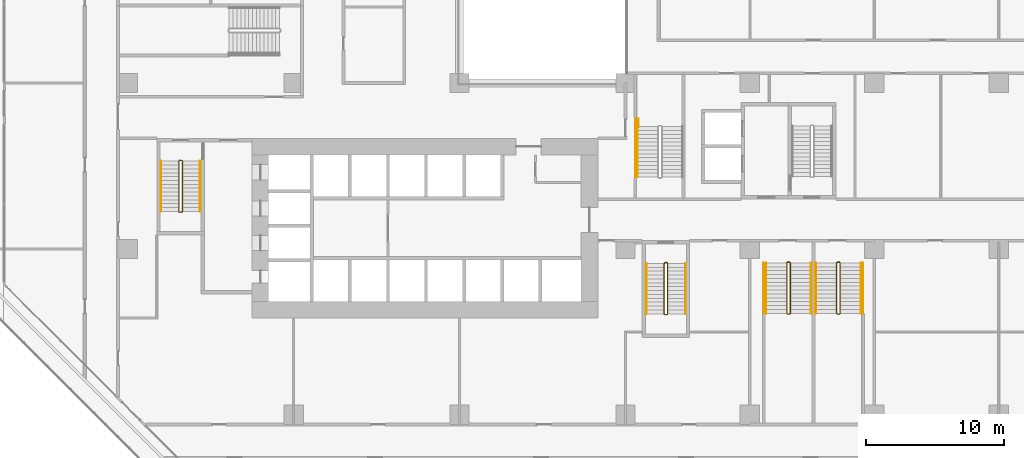
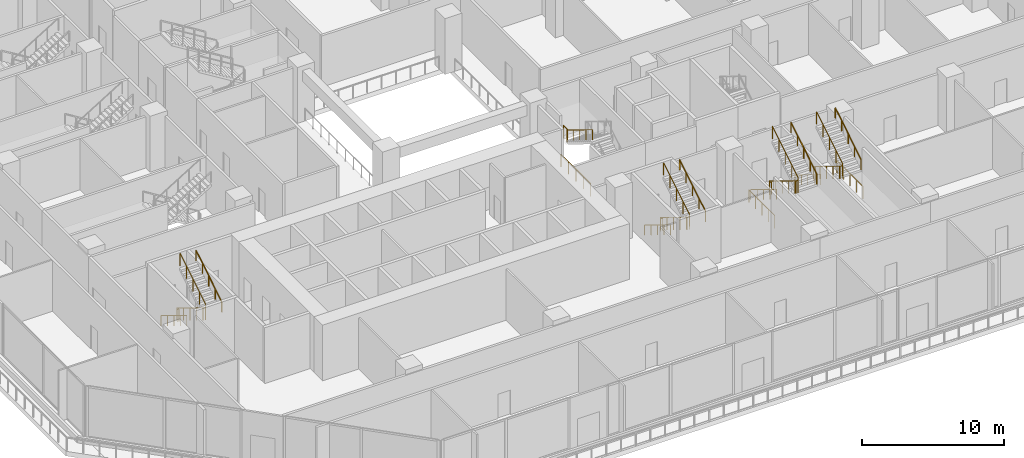
# One storey, part 22 of 26: 17 railings.
"""IFC4 building model written with IfcOpenShell, lengths in metres."""

from ifc_helpers import new_model, si_unit, direction, frame, origin, origin_2d, place, context, subcontext, project, spatial, rectangle, extrude, material, type_object, element, save


model = new_model("IFC4")

# Units and contexts
model_context = context("Model", 3, precision=1e-05, world=origin(), true_north=direction((0.0, 1.0)))
body_context = subcontext(model_context, "Body", "Model", "MODEL_VIEW")
ifc_project = project(units=[si_unit("LENGTHUNIT", "METRE"), si_unit("AREAUNIT", "SQUARE_METRE"), si_unit("VOLUMEUNIT", "CUBIC_METRE"), si_unit("PLANEANGLEUNIT", "RADIAN"), si_unit("MASSUNIT", "GRAM", prefix="KILO")], contexts=[model_context])

# Site, building, storey
site_placement = place(None, origin())
site = spatial("IfcSite", under=ifc_project, at=site_placement, CompositionType="ELEMENT")
building_placement = place(site_placement, origin())
building = spatial("IfcBuilding", under=site, at=building_placement, Name="Chenar Terraces", CompositionType="ELEMENT")
storey_placement = place(building_placement, frame((0.0, 0.0, 16.800048828125)))
storey = spatial("IfcBuildingStorey", under=building, at=storey_placement, Name="L03", CompositionType="ELEMENT", Elevation=16.800048828125)

# Railings
ifc_material_1 = material(Name="Powder-coated steel", Category="steel")
railing_type_1 = type_object("IfcRailingType", Name="Stair guard 1100", PredefinedType="GUARDRAIL", material=ifc_material_1)
railing_1_placement = place(storey_placement, frame((3.949951171875, 18.35009765625, 4.800048828125)))
element("IfcRailing", 1, at=railing_1_placement, inside=storey, type_object=railing_type_1, Name="L03 ST1 stair guard 1", PredefinedType="GUARDRAIL", context=body_context, shape_type="SweptSolid", body=[
    extrude(rectangle(XDim=0.048095703125, YDim=0.048095703125, at=origin_2d()), frame((0.0, 0.0, 1.076171875), z_axis=(0.0, -0.852840387347, -0.522171689878), x_axis=(1.0, 0.0, 0.0)), (0.0, 0.0, 1.0), 4.268310546875),
    extrude(rectangle(XDim=0.048095703125, YDim=0.048095703125, at=origin_2d()), frame((0.0, -3.64013671875, -1.15283203125), z_axis=(-0.269911200495, -0.269911200495, -0.924281281696), x_axis=(0.707106781187, -0.707106781187, 0.0)), (0.0, 0.0, 1.0), 0.185546875),
    extrude(rectangle(XDim=0.048095703125, YDim=0.048095703125, at=origin_2d()), frame((-0.050048828125, -3.690185546875, -1.32421875), z_axis=(-1.0, 0.0, 0.0), x_axis=(0.0, -1.0, 0.0)), (0.0, 0.0, 1.0), 0.14990234375),
    extrude(rectangle(XDim=0.048095703125, YDim=0.048095703125, at=origin_2d()), frame((-0.199951171875, -3.690185546875, -1.32421875), z_axis=(-0.707106781187, 0.707106781187, 0.0), x_axis=(-0.707106781187, -0.707106781187, 0.0)), (0.0, 0.0, 1.0), 0.07080078125),
    extrude(rectangle(XDim=0.048095703125, YDim=0.048095703125, at=origin_2d()), frame((-0.25, -3.64013671875, -1.32421875), z_axis=(0.0, 0.852865859571, -0.52213008492), x_axis=(-1.0, 0.0, 0.0)), (0.0, 0.0, 1.0), 4.26806640625),
    extrude(rectangle(XDim=0.048095703125, YDim=0.048095703125, at=origin_2d()), frame((-0.25, 0.0, -3.552734375), z_axis=(0.270006937388, 0.268689830376, -0.924609122178), x_axis=(-0.705375805398, 0.708833529934, 0.0)), (0.0, 0.0, 1.0), 0.185302734375),
    extrude(rectangle(XDim=0.048095703125, YDim=0.048095703125, at=origin_2d()), frame((-0.199951171875, 0.0498046875, -3.72412109375), z_axis=(1.0, 0.0, 0.0), x_axis=(0.0, 1.0, 0.0)), (0.0, 0.0, 1.0), 0.14990234375),
    extrude(rectangle(XDim=0.0419921875, YDim=0.0419921875, at=origin_2d()), origin(), (0.0, 0.0, 1.0), 1.052001953125),
    extrude(rectangle(XDim=0.0419921875, YDim=0.0419921875, at=origin_2d()), frame((0.0, -0.91015625, -0.55712890625)), (0.0, 0.0, 1.0), 1.052001953125),
    extrude(rectangle(XDim=0.0419921875, YDim=0.0419921875, at=origin_2d()), frame((0.0, -1.820068359375, -1.1142578125)), (0.0, 0.0, 1.0), 1.052001953125),
    extrude(rectangle(XDim=0.0419921875, YDim=0.0419921875, at=origin_2d()), frame((0.0, -2.72998046875, -1.671630859375)), (0.0, 0.0, 1.0), 1.052001953125),
    extrude(rectangle(XDim=0.0419921875, YDim=0.0419921875, at=origin_2d()), frame((0.0, -3.64013671875, -2.228759765625)), (0.0, 0.0, 1.0), 1.052001953125),
    extrude(rectangle(XDim=0.0419921875, YDim=0.0419921875, at=origin_2d()), frame((-0.050048828125, -3.690185546875, -2.400146484375)), (0.0, 0.0, 1.0), 1.052001953125),
    extrude(rectangle(XDim=0.0419921875, YDim=0.0419921875, at=origin_2d()), frame((-0.199951171875, -3.690185546875, -2.400146484375)), (0.0, 0.0, 1.0), 1.052001953125),
    extrude(rectangle(XDim=0.0419921875, YDim=0.0419921875, at=origin_2d()), frame((-0.25, -3.64013671875, -2.400146484375)), (0.0, 0.0, 1.0), 1.052001953125),
    extrude(rectangle(XDim=0.0419921875, YDim=0.0419921875, at=origin_2d()), frame((-0.25, -2.72998046875, -2.957275390625)), (0.0, 0.0, 1.0), 1.052001953125),
    extrude(rectangle(XDim=0.0419921875, YDim=0.0419921875, at=origin_2d()), frame((-0.25, -1.820068359375, -3.514404296875)), (0.0, 0.0, 1.0), 1.052001953125),
    extrude(rectangle(XDim=0.0419921875, YDim=0.0419921875, at=origin_2d()), frame((-0.25, -0.91015625, -4.071533203125)), (0.0, 0.0, 1.0), 1.052001953125),
    extrude(rectangle(XDim=0.0419921875, YDim=0.0419921875, at=origin_2d()), frame((-0.25, 0.0, -4.628662109375)), (0.0, 0.0, 1.0), 1.052001953125),
    extrude(rectangle(XDim=0.0419921875, YDim=0.0419921875, at=origin_2d()), frame((-0.199951171875, 0.0498046875, -4.800048828125)), (0.0, 0.0, 1.0), 1.052001953125),
    extrude(rectangle(XDim=0.0419921875, YDim=0.0419921875, at=origin_2d()), frame((-0.050048828125, 0.0498046875, -4.800048828125)), (0.0, 0.0, 1.0), 1.052001953125),
])
railing_2_placement = place(storey_placement, frame((39.050048828125, 10.949951171875, 4.800048828125)))
element("IfcRailing", 2, at=railing_2_placement, inside=storey, type_object=railing_type_1, Name="L03 ST2 stair guard 1", PredefinedType="GUARDRAIL", context=body_context, shape_type="SweptSolid", body=[
    extrude(rectangle(XDim=0.048095703125, YDim=0.048095703125, at=origin_2d()), frame((0.0, 0.0, 1.076171875), z_axis=(0.0, -0.852824790078, -0.522197163366), x_axis=(1.0, 0.0, 0.0)), (0.0, 0.0, 1.0), 4.26806640625),
    extrude(rectangle(XDim=0.048095703125, YDim=0.048095703125, at=origin_2d()), frame((0.0, -3.639892578125, -1.15283203125), z_axis=(-0.269911200495, -0.269911200495, -0.924281281696), x_axis=(0.707106781187, -0.707106781187, 0.0)), (0.0, 0.0, 1.0), 0.185546875),
    extrude(rectangle(XDim=0.048095703125, YDim=0.048095703125, at=origin_2d()), frame((-0.050048828125, -3.68994140625, -1.32421875), z_axis=(-1.0, 0.0, 0.0), x_axis=(0.0, -1.0, 0.0)), (0.0, 0.0, 1.0), 0.14990234375),
    extrude(rectangle(XDim=0.048095703125, YDim=0.048095703125, at=origin_2d()), frame((-0.199951171875, -3.68994140625, -1.32421875), z_axis=(-0.707106781187, 0.707106781187, 0.0), x_axis=(-0.707106781187, -0.707106781187, 0.0)), (0.0, 0.0, 1.0), 0.07080078125),
    extrude(rectangle(XDim=0.048095703125, YDim=0.048095703125, at=origin_2d()), frame((-0.25, -3.639892578125, -1.32421875), z_axis=(0.0, 0.852850264322, -0.5221555579), x_axis=(-1.0, 0.0, 0.0)), (0.0, 0.0, 1.0), 4.267822265625),
    extrude(rectangle(XDim=0.048095703125, YDim=0.048095703125, at=origin_2d()), frame((-0.25, 0.0, -3.552734375), z_axis=(0.269911200495, 0.269911200495, -0.924281281696), x_axis=(-0.707106781187, 0.707106781187, 0.0)), (0.0, 0.0, 1.0), 0.185546875),
    extrude(rectangle(XDim=0.048095703125, YDim=0.048095703125, at=origin_2d()), frame((-0.199951171875, 0.050048828125, -3.72412109375), z_axis=(1.0, 0.0, 0.0), x_axis=(0.0, 1.0, 0.0)), (0.0, 0.0, 1.0), 0.14990234375),
    extrude(rectangle(XDim=0.0419921875, YDim=0.0419921875, at=origin_2d()), origin(), (0.0, 0.0, 1.0), 1.052001953125),
    extrude(rectangle(XDim=0.0419921875, YDim=0.0419921875, at=origin_2d()), frame((0.0, -0.909912109375, -0.55712890625)), (0.0, 0.0, 1.0), 1.052001953125),
    extrude(rectangle(XDim=0.0419921875, YDim=0.0419921875, at=origin_2d()), frame((0.0, -1.81982421875, -1.1142578125)), (0.0, 0.0, 1.0), 1.052001953125),
    extrude(rectangle(XDim=0.0419921875, YDim=0.0419921875, at=origin_2d()), frame((0.0, -2.72998046875, -1.671630859375)), (0.0, 0.0, 1.0), 1.052001953125),
    extrude(rectangle(XDim=0.0419921875, YDim=0.0419921875, at=origin_2d()), frame((0.0, -3.639892578125, -2.228759765625)), (0.0, 0.0, 1.0), 1.052001953125),
    extrude(rectangle(XDim=0.0419921875, YDim=0.0419921875, at=origin_2d()), frame((-0.050048828125, -3.68994140625, -2.400146484375)), (0.0, 0.0, 1.0), 1.052001953125),
    extrude(rectangle(XDim=0.0419921875, YDim=0.0419921875, at=origin_2d()), frame((-0.199951171875, -3.68994140625, -2.400146484375)), (0.0, 0.0, 1.0), 1.052001953125),
    extrude(rectangle(XDim=0.0419921875, YDim=0.0419921875, at=origin_2d()), frame((-0.25, -3.639892578125, -2.400146484375)), (0.0, 0.0, 1.0), 1.052001953125),
    extrude(rectangle(XDim=0.0419921875, YDim=0.0419921875, at=origin_2d()), frame((-0.25, -2.72998046875, -2.957275390625)), (0.0, 0.0, 1.0), 1.052001953125),
    extrude(rectangle(XDim=0.0419921875, YDim=0.0419921875, at=origin_2d()), frame((-0.25, -1.81982421875, -3.514404296875)), (0.0, 0.0, 1.0), 1.052001953125),
    extrude(rectangle(XDim=0.0419921875, YDim=0.0419921875, at=origin_2d()), frame((-0.25, -0.909912109375, -4.071533203125)), (0.0, 0.0, 1.0), 1.052001953125),
    extrude(rectangle(XDim=0.0419921875, YDim=0.0419921875, at=origin_2d()), frame((-0.25, 0.0, -4.628662109375)), (0.0, 0.0, 1.0), 1.052001953125),
    extrude(rectangle(XDim=0.0419921875, YDim=0.0419921875, at=origin_2d()), frame((-0.199951171875, 0.050048828125, -4.800048828125)), (0.0, 0.0, 1.0), 1.052001953125),
    extrude(rectangle(XDim=0.0419921875, YDim=0.0419921875, at=origin_2d()), frame((-0.050048828125, 0.050048828125, -4.800048828125)), (0.0, 0.0, 1.0), 1.052001953125),
])
railing_3_placement = place(storey_placement, frame((51.52490234375, 10.985107421875, 4.800048828125)))
element("IfcRailing", 3, at=railing_3_placement, inside=storey, type_object=railing_type_1, Name="L03 PS2 stair guard 1", PredefinedType="GUARDRAIL", context=body_context, shape_type="SweptSolid", body=[
    extrude(rectangle(XDim=0.048095703125, YDim=0.048095703125, at=origin_2d()), frame((0.0, 0.0, 1.076171875), z_axis=(0.0, -0.852840387347, -0.522171689878), x_axis=(1.0, 0.0, 0.0)), (0.0, 0.0, 1.0), 4.268310546875),
    extrude(rectangle(XDim=0.048095703125, YDim=0.048095703125, at=origin_2d()), frame((0.0, -3.64013671875, -1.15283203125), z_axis=(-0.268689830376, -0.270006937388, -0.924609122178), x_axis=(0.708833529934, -0.705375805398, 0.0)), (0.0, 0.0, 1.0), 0.185302734375),
    extrude(rectangle(XDim=0.048095703125, YDim=0.048095703125, at=origin_2d()), frame((-0.0498046875, -3.690185546875, -1.32421875), z_axis=(-1.0, 0.0, 0.0), x_axis=(0.0, -1.0, 0.0)), (0.0, 0.0, 1.0), 0.150146484375),
    extrude(rectangle(XDim=0.048095703125, YDim=0.048095703125, at=origin_2d()), frame((-0.199951171875, -3.690185546875, -1.32421875), z_axis=(-0.707106781187, 0.707106781187, 0.0), x_axis=(-0.707106781187, -0.707106781187, 0.0)), (0.0, 0.0, 1.0), 0.07080078125),
    extrude(rectangle(XDim=0.048095703125, YDim=0.048095703125, at=origin_2d()), frame((-0.25, -3.64013671875, -1.32421875), z_axis=(0.0, 0.852865859571, -0.52213008492), x_axis=(-1.0, 0.0, 0.0)), (0.0, 0.0, 1.0), 4.26806640625),
    extrude(rectangle(XDim=0.048095703125, YDim=0.048095703125, at=origin_2d()), frame((-0.25, 0.0, -3.552734375), z_axis=(0.270006937388, 0.268689830376, -0.924609122178), x_axis=(-0.705375805398, 0.708833529934, 0.0)), (0.0, 0.0, 1.0), 0.185302734375),
    extrude(rectangle(XDim=0.048095703125, YDim=0.048095703125, at=origin_2d()), frame((-0.199951171875, 0.0498046875, -3.72412109375), z_axis=(1.0, 0.0, 0.0), x_axis=(0.0, 1.0, 0.0)), (0.0, 0.0, 1.0), 0.150146484375),
    extrude(rectangle(XDim=0.0419921875, YDim=0.0419921875, at=origin_2d()), origin(), (0.0, 0.0, 1.0), 1.052001953125),
    extrude(rectangle(XDim=0.0419921875, YDim=0.0419921875, at=origin_2d()), frame((0.0, -0.91015625, -0.55712890625)), (0.0, 0.0, 1.0), 1.052001953125),
    extrude(rectangle(XDim=0.0419921875, YDim=0.0419921875, at=origin_2d()), frame((0.0, -1.820068359375, -1.1142578125)), (0.0, 0.0, 1.0), 1.052001953125),
    extrude(rectangle(XDim=0.0419921875, YDim=0.0419921875, at=origin_2d()), frame((0.0, -2.72998046875, -1.671630859375)), (0.0, 0.0, 1.0), 1.052001953125),
    extrude(rectangle(XDim=0.0419921875, YDim=0.0419921875, at=origin_2d()), frame((0.0, -3.64013671875, -2.228759765625)), (0.0, 0.0, 1.0), 1.052001953125),
    extrude(rectangle(XDim=0.0419921875, YDim=0.0419921875, at=origin_2d()), frame((-0.0498046875, -3.690185546875, -2.400146484375)), (0.0, 0.0, 1.0), 1.052001953125),
    extrude(rectangle(XDim=0.0419921875, YDim=0.0419921875, at=origin_2d()), frame((-0.199951171875, -3.690185546875, -2.400146484375)), (0.0, 0.0, 1.0), 1.052001953125),
    extrude(rectangle(XDim=0.0419921875, YDim=0.0419921875, at=origin_2d()), frame((-0.25, -3.64013671875, -2.400146484375)), (0.0, 0.0, 1.0), 1.052001953125),
    extrude(rectangle(XDim=0.0419921875, YDim=0.0419921875, at=origin_2d()), frame((-0.25, -2.72998046875, -2.957275390625)), (0.0, 0.0, 1.0), 1.052001953125),
    extrude(rectangle(XDim=0.0419921875, YDim=0.0419921875, at=origin_2d()), frame((-0.25, -1.820068359375, -3.514404296875)), (0.0, 0.0, 1.0), 1.052001953125),
    extrude(rectangle(XDim=0.0419921875, YDim=0.0419921875, at=origin_2d()), frame((-0.25, -0.91015625, -4.071533203125)), (0.0, 0.0, 1.0), 1.052001953125),
    extrude(rectangle(XDim=0.0419921875, YDim=0.0419921875, at=origin_2d()), frame((-0.25, 0.0, -4.628662109375)), (0.0, 0.0, 1.0), 1.052001953125),
    extrude(rectangle(XDim=0.0419921875, YDim=0.0419921875, at=origin_2d()), frame((-0.199951171875, 0.0498046875, -4.800048828125)), (0.0, 0.0, 1.0), 1.052001953125),
    extrude(rectangle(XDim=0.0419921875, YDim=0.0419921875, at=origin_2d()), frame((-0.0498046875, 0.0498046875, -4.800048828125)), (0.0, 0.0, 1.0), 1.052001953125),
])
railing_4_placement = place(storey_placement, frame((47.925048828125, 10.985107421875, 4.800048828125)))
element("IfcRailing", 4, at=railing_4_placement, inside=storey, type_object=railing_type_1, Name="L03 PS6 stair guard 1", PredefinedType="GUARDRAIL", context=body_context, shape_type="SweptSolid", body=[
    extrude(rectangle(XDim=0.048095703125, YDim=0.048095703125, at=origin_2d()), frame((0.0, 0.0, 1.076171875), z_axis=(0.0, -0.852840387347, -0.522171689878), x_axis=(1.0, 0.0, 0.0)), (0.0, 0.0, 1.0), 4.268310546875),
    extrude(rectangle(XDim=0.048095703125, YDim=0.048095703125, at=origin_2d()), frame((0.0, -3.64013671875, -1.15283203125), z_axis=(-0.269911200495, -0.269911200495, -0.924281281696), x_axis=(0.707106781187, -0.707106781187, 0.0)), (0.0, 0.0, 1.0), 0.185546875),
    extrude(rectangle(XDim=0.048095703125, YDim=0.048095703125, at=origin_2d()), frame((-0.050048828125, -3.690185546875, -1.32421875), z_axis=(-1.0, 0.0, 0.0), x_axis=(0.0, -1.0, 0.0)), (0.0, 0.0, 1.0), 0.14990234375),
    extrude(rectangle(XDim=0.048095703125, YDim=0.048095703125, at=origin_2d()), frame((-0.199951171875, -3.690185546875, -1.32421875), z_axis=(-0.707106781187, 0.707106781187, 0.0), x_axis=(-0.707106781187, -0.707106781187, 0.0)), (0.0, 0.0, 1.0), 0.07080078125),
    extrude(rectangle(XDim=0.048095703125, YDim=0.048095703125, at=origin_2d()), frame((-0.25, -3.64013671875, -1.32421875), z_axis=(0.0, 0.852865859571, -0.52213008492), x_axis=(-1.0, 0.0, 0.0)), (0.0, 0.0, 1.0), 4.26806640625),
    extrude(rectangle(XDim=0.048095703125, YDim=0.048095703125, at=origin_2d()), frame((-0.25, 0.0, -3.552734375), z_axis=(0.270006937388, 0.268689830376, -0.924609122178), x_axis=(-0.705375805398, 0.708833529934, 0.0)), (0.0, 0.0, 1.0), 0.185302734375),
    extrude(rectangle(XDim=0.048095703125, YDim=0.048095703125, at=origin_2d()), frame((-0.199951171875, 0.0498046875, -3.72412109375), z_axis=(1.0, 0.0, 0.0), x_axis=(0.0, 1.0, 0.0)), (0.0, 0.0, 1.0), 0.14990234375),
    extrude(rectangle(XDim=0.0419921875, YDim=0.0419921875, at=origin_2d()), origin(), (0.0, 0.0, 1.0), 1.052001953125),
    extrude(rectangle(XDim=0.0419921875, YDim=0.0419921875, at=origin_2d()), frame((0.0, -0.91015625, -0.55712890625)), (0.0, 0.0, 1.0), 1.052001953125),
    extrude(rectangle(XDim=0.0419921875, YDim=0.0419921875, at=origin_2d()), frame((0.0, -1.820068359375, -1.1142578125)), (0.0, 0.0, 1.0), 1.052001953125),
    extrude(rectangle(XDim=0.0419921875, YDim=0.0419921875, at=origin_2d()), frame((0.0, -2.72998046875, -1.671630859375)), (0.0, 0.0, 1.0), 1.052001953125),
    extrude(rectangle(XDim=0.0419921875, YDim=0.0419921875, at=origin_2d()), frame((0.0, -3.64013671875, -2.228759765625)), (0.0, 0.0, 1.0), 1.052001953125),
    extrude(rectangle(XDim=0.0419921875, YDim=0.0419921875, at=origin_2d()), frame((-0.050048828125, -3.690185546875, -2.400146484375)), (0.0, 0.0, 1.0), 1.052001953125),
    extrude(rectangle(XDim=0.0419921875, YDim=0.0419921875, at=origin_2d()), frame((-0.199951171875, -3.690185546875, -2.400146484375)), (0.0, 0.0, 1.0), 1.052001953125),
    extrude(rectangle(XDim=0.0419921875, YDim=0.0419921875, at=origin_2d()), frame((-0.25, -3.64013671875, -2.400146484375)), (0.0, 0.0, 1.0), 1.052001953125),
    extrude(rectangle(XDim=0.0419921875, YDim=0.0419921875, at=origin_2d()), frame((-0.25, -2.72998046875, -2.957275390625)), (0.0, 0.0, 1.0), 1.052001953125),
    extrude(rectangle(XDim=0.0419921875, YDim=0.0419921875, at=origin_2d()), frame((-0.25, -1.820068359375, -3.514404296875)), (0.0, 0.0, 1.0), 1.052001953125),
    extrude(rectangle(XDim=0.0419921875, YDim=0.0419921875, at=origin_2d()), frame((-0.25, -0.91015625, -4.071533203125)), (0.0, 0.0, 1.0), 1.052001953125),
    extrude(rectangle(XDim=0.0419921875, YDim=0.0419921875, at=origin_2d()), frame((-0.25, 0.0, -4.628662109375)), (0.0, 0.0, 1.0), 1.052001953125),
    extrude(rectangle(XDim=0.0419921875, YDim=0.0419921875, at=origin_2d()), frame((-0.199951171875, 0.0498046875, -4.800048828125)), (0.0, 0.0, 1.0), 1.052001953125),
    extrude(rectangle(XDim=0.0419921875, YDim=0.0419921875, at=origin_2d()), frame((-0.050048828125, 0.0498046875, -4.800048828125)), (0.0, 0.0, 1.0), 1.052001953125),
])
railing_5_placement = place(storey_placement, frame((36.72509765625, 21.39990234375, 0.0)))
element("IfcRailing", 5, at=railing_5_placement, inside=storey, type_object=railing_type_1, Name="L03 PS1 stair guard 101", PredefinedType="GUARDRAIL", context=body_context, shape_type="SweptSolid", body=[
    extrude(rectangle(XDim=0.048095703125, YDim=0.048095703125, at=origin_2d()), frame((0.0, 0.0, 1.076171875), z_axis=(0.0, -1.0, 0.0), x_axis=(1.0, 0.0, 0.0)), (0.0, 0.0, 1.0), 4.199951171875),
    extrude(rectangle(XDim=0.0419921875, YDim=0.0419921875, at=origin_2d()), origin(), (0.0, 0.0, 1.0), 1.052001953125),
    extrude(rectangle(XDim=0.0419921875, YDim=0.0419921875, at=origin_2d()), frame((0.0, -1.050048828125, 0.0)), (0.0, 0.0, 1.0), 1.052001953125),
    extrude(rectangle(XDim=0.0419921875, YDim=0.0419921875, at=origin_2d()), frame((0.0, -2.10009765625, 0.0)), (0.0, 0.0, 1.0), 1.052001953125),
    extrude(rectangle(XDim=0.0419921875, YDim=0.0419921875, at=origin_2d()), frame((0.0, -3.14990234375, 0.0)), (0.0, 0.0, 1.0), 1.052001953125),
    extrude(rectangle(XDim=0.0419921875, YDim=0.0419921875, at=origin_2d()), frame((0.0, -4.199951171875, 0.0)), (0.0, 0.0, 1.0), 1.052001953125),
])
railing_6_placement = place(storey_placement, frame((53.18994140625, 7.32421875, 0.0)))
element("IfcRailing", 6, at=railing_6_placement, inside=storey, type_object=railing_type_1, Name="L03 PS2 stair guard 101", PredefinedType="GUARDRAIL", context=body_context, shape_type="SweptSolid", body=[
    extrude(rectangle(XDim=0.048095703125, YDim=0.048095703125, at=origin_2d()), frame((0.0, 0.0, 1.076171875), z_axis=(0.0, 1.0, 0.0), x_axis=(-1.0, 0.0, 0.0)), (0.0, 0.0, 1.0), 3.660888671875),
    extrude(rectangle(XDim=0.0419921875, YDim=0.0419921875, at=origin_2d()), origin(), (0.0, 0.0, 1.0), 1.052001953125),
    extrude(rectangle(XDim=0.0419921875, YDim=0.0419921875, at=origin_2d()), frame((0.0, 0.915283203125, 0.0)), (0.0, 0.0, 1.0), 1.052001953125),
    extrude(rectangle(XDim=0.0419921875, YDim=0.0419921875, at=origin_2d()), frame((0.0, 1.83056640625, 0.0)), (0.0, 0.0, 1.0), 1.052001953125),
    extrude(rectangle(XDim=0.0419921875, YDim=0.0419921875, at=origin_2d()), frame((0.0, 2.74560546875, 0.0)), (0.0, 0.0, 1.0), 1.052001953125),
    extrude(rectangle(XDim=0.0419921875, YDim=0.0419921875, at=origin_2d()), frame((0.0, 3.660888671875, 0.0)), (0.0, 0.0, 1.0), 1.052001953125),
])
railing_7_placement = place(storey_placement, frame((46.010009765625, 10.985107421875, 0.0)))
element("IfcRailing", 7, at=railing_7_placement, inside=storey, type_object=railing_type_1, Name="L03 PS6 stair guard 101", PredefinedType="GUARDRAIL", context=body_context, shape_type="SweptSolid", body=[
    extrude(rectangle(XDim=0.048095703125, YDim=0.048095703125, at=origin_2d()), frame((0.0, 0.0, 1.076171875), z_axis=(0.0, -1.0, 0.0), x_axis=(1.0, 0.0, 0.0)), (0.0, 0.0, 1.0), 3.660888671875),
    extrude(rectangle(XDim=0.0419921875, YDim=0.0419921875, at=origin_2d()), origin(), (0.0, 0.0, 1.0), 1.052001953125),
    extrude(rectangle(XDim=0.0419921875, YDim=0.0419921875, at=origin_2d()), frame((0.0, -0.915283203125, 0.0)), (0.0, 0.0, 1.0), 1.052001953125),
    extrude(rectangle(XDim=0.0419921875, YDim=0.0419921875, at=origin_2d()), frame((0.0, -1.83056640625, 0.0)), (0.0, 0.0, 1.0), 1.052001953125),
    extrude(rectangle(XDim=0.0419921875, YDim=0.0419921875, at=origin_2d()), frame((0.0, -2.74560546875, 0.0)), (0.0, 0.0, 1.0), 1.052001953125),
    extrude(rectangle(XDim=0.0419921875, YDim=0.0419921875, at=origin_2d()), frame((0.0, -3.660888671875, 0.0)), (0.0, 0.0, 1.0), 1.052001953125),
])
railing_8_placement = place(storey_placement, frame((36.925048828125, 20.840087890625, 2.39990234375)))
element("IfcRailing", 8, at=railing_8_placement, inside=storey, type_object=railing_type_1, Name="L03 PS1 stair guard 201", PredefinedType="GUARDRAIL", context=body_context, shape_type="SweptSolid", body=[
    extrude(rectangle(XDim=0.048095703125, YDim=0.048095703125, at=origin_2d()), frame((0.0, 0.0, 1.076171875), z_axis=(0.0, 1.0, 0.0), x_axis=(-1.0, 0.0, 0.0)), (0.0, 0.0, 1.0), 0.55126953125),
    extrude(rectangle(XDim=0.0419921875, YDim=0.0419921875, at=origin_2d()), origin(), (0.0, 0.0, 1.0), 1.052001953125),
    extrude(rectangle(XDim=0.0419921875, YDim=0.0419921875, at=origin_2d()), frame((0.0, 0.55126953125, 0.0)), (0.0, 0.0, 1.0), 1.052001953125),
])
ifc_material_2 = material(Name="Powder-coated steel", Category="steel")
railing_type_2 = type_object("IfcRailingType", Name="Stair handrail 900", PredefinedType="HANDRAIL", material=ifc_material_2)
railing_9_placement = place(storey_placement, frame((2.39990234375, 18.35009765625, 0.17138671875)))
element("IfcRailing", 9, at=railing_9_placement, inside=storey, type_object=railing_type_2, Name="L03 ST1 stair handrail 1", PredefinedType="HANDRAIL", context=body_context, shape_type="SweptSolid", body=[
    extrude(rectangle(XDim=0.048095703125, YDim=0.048095703125, at=origin_2d()), frame((0.0, 0.0, 0.8759765625), z_axis=(0.0, -0.852865859571, 0.52213008492), x_axis=(1.0, 0.0, 0.0)), (0.0, 0.0, 1.0), 4.26806640625),
    extrude(rectangle(XDim=0.0419921875, YDim=0.0419921875, at=origin_2d()), origin(), (0.0, 0.0, 1.0), 0.851806640625),
    extrude(rectangle(XDim=0.0419921875, YDim=0.0419921875, at=origin_2d()), frame((0.0, -0.91015625, 0.55712890625)), (0.0, 0.0, 1.0), 0.851806640625),
    extrude(rectangle(XDim=0.0419921875, YDim=0.0419921875, at=origin_2d()), frame((0.0, -1.820068359375, 1.1142578125)), (0.0, 0.0, 1.0), 0.851806640625),
    extrude(rectangle(XDim=0.0419921875, YDim=0.0419921875, at=origin_2d()), frame((0.0, -2.72998046875, 1.67138671875)), (0.0, 0.0, 1.0), 0.851806640625),
    extrude(rectangle(XDim=0.0419921875, YDim=0.0419921875, at=origin_2d()), frame((0.0, -3.64013671875, 2.228515625)), (0.0, 0.0, 1.0), 0.851806640625),
])
railing_10_placement = place(storey_placement, frame((5.25, 14.7099609375, 2.5712890625)))
element("IfcRailing", 10, at=railing_10_placement, inside=storey, type_object=railing_type_2, Name="L03 ST1 stair handrail 2", PredefinedType="HANDRAIL", context=body_context, shape_type="SweptSolid", body=[
    extrude(rectangle(XDim=0.048095703125, YDim=0.048095703125, at=origin_2d()), frame((0.0, 0.0, 0.8759765625), z_axis=(0.0, 0.852840387347, 0.522171689878), x_axis=(-1.0, 0.0, 0.0)), (0.0, 0.0, 1.0), 4.268310546875),
    extrude(rectangle(XDim=0.0419921875, YDim=0.0419921875, at=origin_2d()), origin(), (0.0, 0.0, 1.0), 0.851806640625),
    extrude(rectangle(XDim=0.0419921875, YDim=0.0419921875, at=origin_2d()), frame((0.0, 0.91015625, 0.55712890625)), (0.0, 0.0, 1.0), 0.851806640625),
    extrude(rectangle(XDim=0.0419921875, YDim=0.0419921875, at=origin_2d()), frame((0.0, 1.820068359375, 1.1142578125)), (0.0, 0.0, 1.0), 0.851806640625),
    extrude(rectangle(XDim=0.0419921875, YDim=0.0419921875, at=origin_2d()), frame((0.0, 2.72998046875, 1.671630859375)), (0.0, 0.0, 1.0), 0.851806640625),
    extrude(rectangle(XDim=0.0419921875, YDim=0.0419921875, at=origin_2d()), frame((0.0, 3.64013671875, 2.228759765625)), (0.0, 0.0, 1.0), 0.851806640625),
])
railing_11_placement = place(storey_placement, frame((37.5, 10.949951171875, 0.17138671875)))
element("IfcRailing", 11, at=railing_11_placement, inside=storey, type_object=railing_type_2, Name="L03 ST2 stair handrail 1", PredefinedType="HANDRAIL", context=body_context, shape_type="SweptSolid", body=[
    extrude(rectangle(XDim=0.048095703125, YDim=0.048095703125, at=origin_2d()), frame((0.0, 0.0, 0.8759765625), z_axis=(0.0, -0.852850264322, 0.5221555579), x_axis=(1.0, 0.0, 0.0)), (0.0, 0.0, 1.0), 4.267822265625),
    extrude(rectangle(XDim=0.0419921875, YDim=0.0419921875, at=origin_2d()), origin(), (0.0, 0.0, 1.0), 0.851806640625),
    extrude(rectangle(XDim=0.0419921875, YDim=0.0419921875, at=origin_2d()), frame((0.0, -0.909912109375, 0.55712890625)), (0.0, 0.0, 1.0), 0.851806640625),
    extrude(rectangle(XDim=0.0419921875, YDim=0.0419921875, at=origin_2d()), frame((0.0, -1.81982421875, 1.1142578125)), (0.0, 0.0, 1.0), 0.851806640625),
    extrude(rectangle(XDim=0.0419921875, YDim=0.0419921875, at=origin_2d()), frame((0.0, -2.72998046875, 1.67138671875)), (0.0, 0.0, 1.0), 0.851806640625),
    extrude(rectangle(XDim=0.0419921875, YDim=0.0419921875, at=origin_2d()), frame((0.0, -3.639892578125, 2.228515625)), (0.0, 0.0, 1.0), 0.851806640625),
])
railing_12_placement = place(storey_placement, frame((40.35009765625, 7.31005859375, 2.5712890625)))
element("IfcRailing", 12, at=railing_12_placement, inside=storey, type_object=railing_type_2, Name="L03 ST2 stair handrail 2", PredefinedType="HANDRAIL", context=body_context, shape_type="SweptSolid", body=[
    extrude(rectangle(XDim=0.048095703125, YDim=0.048095703125, at=origin_2d()), frame((0.0, 0.0, 0.8759765625), z_axis=(0.0, 0.852824790078, 0.522197163366), x_axis=(-1.0, 0.0, 0.0)), (0.0, 0.0, 1.0), 4.26806640625),
    extrude(rectangle(XDim=0.0419921875, YDim=0.0419921875, at=origin_2d()), origin(), (0.0, 0.0, 1.0), 0.851806640625),
    extrude(rectangle(XDim=0.0419921875, YDim=0.0419921875, at=origin_2d()), frame((0.0, 0.909912109375, 0.55712890625)), (0.0, 0.0, 1.0), 0.851806640625),
    extrude(rectangle(XDim=0.0419921875, YDim=0.0419921875, at=origin_2d()), frame((0.0, 1.81982421875, 1.1142578125)), (0.0, 0.0, 1.0), 0.851806640625),
    extrude(rectangle(XDim=0.0419921875, YDim=0.0419921875, at=origin_2d()), frame((0.0, 2.72998046875, 1.671630859375)), (0.0, 0.0, 1.0), 0.851806640625),
    extrude(rectangle(XDim=0.0419921875, YDim=0.0419921875, at=origin_2d()), frame((0.0, 3.639892578125, 2.228759765625)), (0.0, 0.0, 1.0), 0.851806640625),
])
railing_13_placement = place(storey_placement, frame((36.875, 20.840087890625, 2.5712890625)))
element("IfcRailing", 13, at=railing_13_placement, inside=storey, type_object=railing_type_2, Name="L03 PS1 stair handrail 2", PredefinedType="HANDRAIL", context=body_context, shape_type="SweptSolid", body=[
    extrude(rectangle(XDim=0.048095703125, YDim=0.048095703125, at=origin_2d()), frame((0.0, 0.0, 0.8759765625), z_axis=(0.0, -0.852840387347, 0.522171689878), x_axis=(1.0, 0.0, 0.0)), (0.0, 0.0, 1.0), 4.268310546875),
    extrude(rectangle(XDim=0.0419921875, YDim=0.0419921875, at=origin_2d()), origin(), (0.0, 0.0, 1.0), 0.851806640625),
    extrude(rectangle(XDim=0.0419921875, YDim=0.0419921875, at=origin_2d()), frame((0.0, -0.91015625, 0.55712890625)), (0.0, 0.0, 1.0), 0.851806640625),
    extrude(rectangle(XDim=0.0419921875, YDim=0.0419921875, at=origin_2d()), frame((0.0, -1.820068359375, 1.1142578125)), (0.0, 0.0, 1.0), 0.851806640625),
    extrude(rectangle(XDim=0.0419921875, YDim=0.0419921875, at=origin_2d()), frame((0.0, -2.72998046875, 1.671630859375)), (0.0, 0.0, 1.0), 0.851806640625),
    extrude(rectangle(XDim=0.0419921875, YDim=0.0419921875, at=origin_2d()), frame((0.0, -3.64013671875, 2.228759765625)), (0.0, 0.0, 1.0), 0.851806640625),
])
railing_14_placement = place(storey_placement, frame((49.760009765625, 10.985107421875, 0.17138671875)))
element("IfcRailing", 14, at=railing_14_placement, inside=storey, type_object=railing_type_2, Name="L03 PS2 stair handrail 1", PredefinedType="HANDRAIL", context=body_context, shape_type="SweptSolid", body=[
    extrude(rectangle(XDim=0.048095703125, YDim=0.048095703125, at=origin_2d()), frame((0.0, 0.0, 0.8759765625), z_axis=(0.0, -0.852865859571, 0.52213008492), x_axis=(1.0, 0.0, 0.0)), (0.0, 0.0, 1.0), 4.26806640625),
    extrude(rectangle(XDim=0.0419921875, YDim=0.0419921875, at=origin_2d()), origin(), (0.0, 0.0, 1.0), 0.851806640625),
    extrude(rectangle(XDim=0.0419921875, YDim=0.0419921875, at=origin_2d()), frame((0.0, -0.91015625, 0.55712890625)), (0.0, 0.0, 1.0), 0.851806640625),
    extrude(rectangle(XDim=0.0419921875, YDim=0.0419921875, at=origin_2d()), frame((0.0, -1.820068359375, 1.1142578125)), (0.0, 0.0, 1.0), 0.851806640625),
    extrude(rectangle(XDim=0.0419921875, YDim=0.0419921875, at=origin_2d()), frame((0.0, -2.72998046875, 1.67138671875)), (0.0, 0.0, 1.0), 0.851806640625),
    extrude(rectangle(XDim=0.0419921875, YDim=0.0419921875, at=origin_2d()), frame((0.0, -3.64013671875, 2.228515625)), (0.0, 0.0, 1.0), 0.851806640625),
])
railing_15_placement = place(storey_placement, frame((53.0400390625, 7.344970703125, 2.5712890625)))
element("IfcRailing", 15, at=railing_15_placement, inside=storey, type_object=railing_type_2, Name="L03 PS2 stair handrail 2", PredefinedType="HANDRAIL", context=body_context, shape_type="SweptSolid", body=[
    extrude(rectangle(XDim=0.048095703125, YDim=0.048095703125, at=origin_2d()), frame((0.0, 0.0, 0.8759765625), z_axis=(0.0, 0.852840387347, 0.522171689878), x_axis=(-1.0, 0.0, 0.0)), (0.0, 0.0, 1.0), 4.268310546875),
    extrude(rectangle(XDim=0.0419921875, YDim=0.0419921875, at=origin_2d()), origin(), (0.0, 0.0, 1.0), 0.851806640625),
    extrude(rectangle(XDim=0.0419921875, YDim=0.0419921875, at=origin_2d()), frame((0.0, 0.91015625, 0.55712890625)), (0.0, 0.0, 1.0), 0.851806640625),
    extrude(rectangle(XDim=0.0419921875, YDim=0.0419921875, at=origin_2d()), frame((0.0, 1.820068359375, 1.1142578125)), (0.0, 0.0, 1.0), 0.851806640625),
    extrude(rectangle(XDim=0.0419921875, YDim=0.0419921875, at=origin_2d()), frame((0.0, 2.72998046875, 1.671630859375)), (0.0, 0.0, 1.0), 0.851806640625),
    extrude(rectangle(XDim=0.0419921875, YDim=0.0419921875, at=origin_2d()), frame((0.0, 3.64013671875, 2.228759765625)), (0.0, 0.0, 1.0), 0.851806640625),
])
railing_16_placement = place(storey_placement, frame((46.159912109375, 10.985107421875, 0.17138671875)))
element("IfcRailing", 16, at=railing_16_placement, inside=storey, type_object=railing_type_2, Name="L03 PS6 stair handrail 1", PredefinedType="HANDRAIL", context=body_context, shape_type="SweptSolid", body=[
    extrude(rectangle(XDim=0.048095703125, YDim=0.048095703125, at=origin_2d()), frame((0.0, 0.0, 0.8759765625), z_axis=(0.0, -0.852865859571, 0.52213008492), x_axis=(1.0, 0.0, 0.0)), (0.0, 0.0, 1.0), 4.26806640625),
    extrude(rectangle(XDim=0.0419921875, YDim=0.0419921875, at=origin_2d()), origin(), (0.0, 0.0, 1.0), 0.851806640625),
    extrude(rectangle(XDim=0.0419921875, YDim=0.0419921875, at=origin_2d()), frame((0.0, -0.91015625, 0.55712890625)), (0.0, 0.0, 1.0), 0.851806640625),
    extrude(rectangle(XDim=0.0419921875, YDim=0.0419921875, at=origin_2d()), frame((0.0, -1.820068359375, 1.1142578125)), (0.0, 0.0, 1.0), 0.851806640625),
    extrude(rectangle(XDim=0.0419921875, YDim=0.0419921875, at=origin_2d()), frame((0.0, -2.72998046875, 1.67138671875)), (0.0, 0.0, 1.0), 0.851806640625),
    extrude(rectangle(XDim=0.0419921875, YDim=0.0419921875, at=origin_2d()), frame((0.0, -3.64013671875, 2.228515625)), (0.0, 0.0, 1.0), 0.851806640625),
])
railing_17_placement = place(storey_placement, frame((49.43994140625, 7.344970703125, 2.5712890625)))
element("IfcRailing", 17, at=railing_17_placement, inside=storey, type_object=railing_type_2, Name="L03 PS6 stair handrail 2", PredefinedType="HANDRAIL", context=body_context, shape_type="SweptSolid", body=[
    extrude(rectangle(XDim=0.048095703125, YDim=0.048095703125, at=origin_2d()), frame((0.0, 0.0, 0.8759765625), z_axis=(0.0, 0.852840387347, 0.522171689878), x_axis=(-1.0, 0.0, 0.0)), (0.0, 0.0, 1.0), 4.268310546875),
    extrude(rectangle(XDim=0.0419921875, YDim=0.0419921875, at=origin_2d()), origin(), (0.0, 0.0, 1.0), 0.851806640625),
    extrude(rectangle(XDim=0.0419921875, YDim=0.0419921875, at=origin_2d()), frame((0.0, 0.91015625, 0.55712890625)), (0.0, 0.0, 1.0), 0.851806640625),
    extrude(rectangle(XDim=0.0419921875, YDim=0.0419921875, at=origin_2d()), frame((0.0, 1.820068359375, 1.1142578125)), (0.0, 0.0, 1.0), 0.851806640625),
    extrude(rectangle(XDim=0.0419921875, YDim=0.0419921875, at=origin_2d()), frame((0.0, 2.72998046875, 1.671630859375)), (0.0, 0.0, 1.0), 0.851806640625),
    extrude(rectangle(XDim=0.0419921875, YDim=0.0419921875, at=origin_2d()), frame((0.0, 3.64013671875, 2.228759765625)), (0.0, 0.0, 1.0), 0.851806640625),
])

save(model, "model.ifc")
